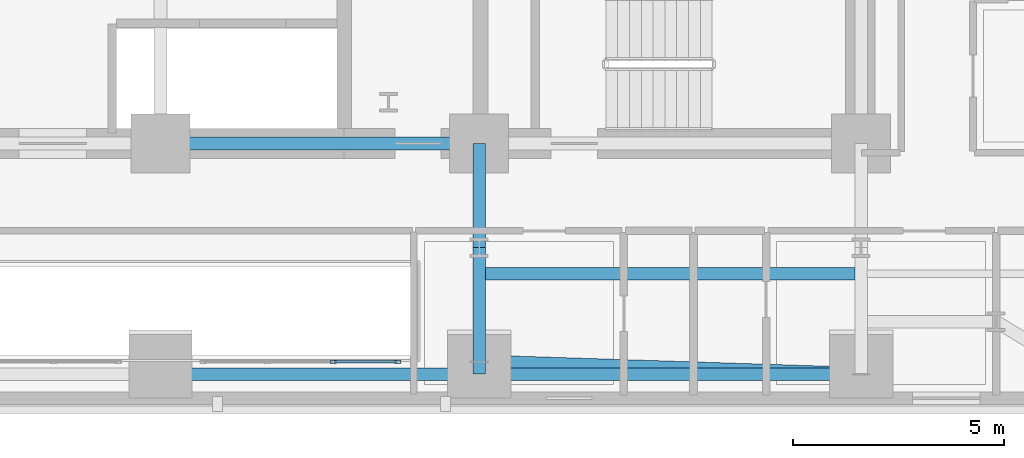
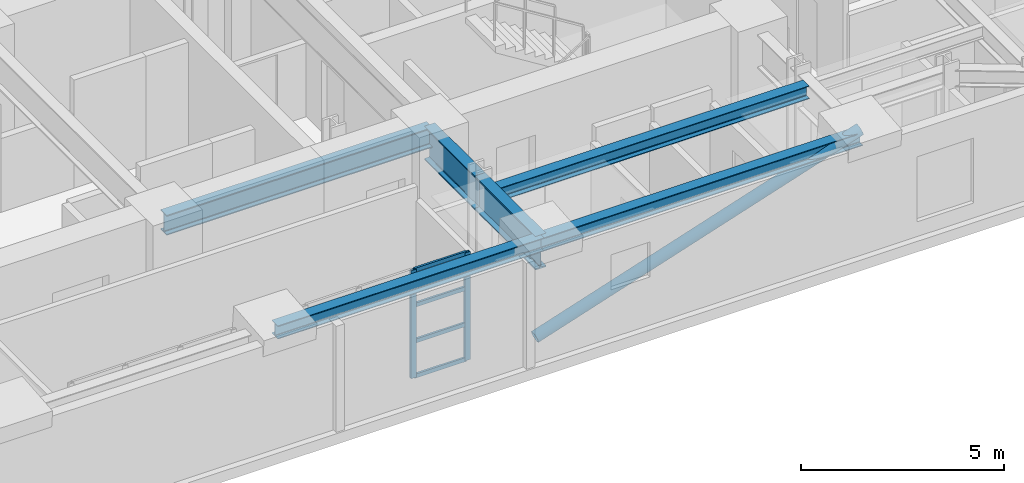
# One storey, part 4 of 16: 7 members, 6 beams, 1 element without a shape of its own.
"""IFC4 building model written with IfcOpenShell, lengths in metres."""

from ifc_helpers import new_model, si_unit, direction, frame, origin, origin_2d, place, context, subcontext, project, spatial, hollow_rectangle, hollow_circle, i_section, extrude, material, layer, layer_set, material_profile, profile_set, type_object, element, aggregate, save


model = new_model("IFC4")

# Units and contexts
model_context = context("Model", 3, precision=1e-05, world=origin(), true_north=direction((0.0, 1.0)))
body_context = subcontext(model_context, "Body", "Model", "MODEL_VIEW")
ifc_project = project(units=[si_unit("LENGTHUNIT", "METRE"), si_unit("AREAUNIT", "SQUARE_METRE"), si_unit("VOLUMEUNIT", "CUBIC_METRE"), si_unit("PLANEANGLEUNIT", "RADIAN"), si_unit("MASSUNIT", "GRAM", prefix="KILO")], contexts=[model_context])

# Site, building, storey
site_placement = place(None, origin())
site = spatial("IfcSite", under=ifc_project, at=site_placement, CompositionType="ELEMENT")
building_placement = place(site_placement, origin())
building = spatial("IfcBuilding", under=site, at=building_placement, Name="Zarnavel Station Tower", CompositionType="ELEMENT")
storey_placement = place(building_placement, frame((0.0, 0.0, 39.5)))
storey = spatial("IfcBuildingStorey", under=building, at=storey_placement, Name="L10", CompositionType="ELEMENT", Elevation=39.5)

# Curtain wall, members
ifc_material_1 = material(Name="Aluminium Dark Anodised and Solar-Control Glass", Category="aluminium")
ifc_layer = layer(ifc_material_1, 0.179931640625)
ifc_layer_set = layer_set([ifc_layer], Name="CWS2")
curtain_wall_type = type_object("IfcCurtainWallType", Name="CWS2", PredefinedType="NOTDEFINED", material=ifc_layer_set)
curtain_wall_placement = place(storey_placement, origin())
curtain_wall = element("IfcCurtainWall", 1, at=curtain_wall_placement, inside=storey, type_object=curtain_wall_type, Name="L10 Curtain Wall CWS2-L10-AS-S2", PredefinedType="NOTDEFINED")
ifc_material_2 = material(Name="Steel S355J2 (Black Fluoropolymer Coated)", Category="steel")
ifc_material_profile_1 = material_profile(ifc_material_2, hollow_rectangle(XDim=0.074951171875, YDim=0.14990234375, WallThickness=0.00634765625, at=origin_2d()), Name="RHS150x75x6.3")
ifc_profile_set_1 = profile_set([ifc_material_profile_1], Name="Steel S355J2 (Black Fluoropolymer Coated)")
member_type_1 = type_object("IfcMemberType", Name="CWS2_MUL", PredefinedType="MULLION", material=ifc_profile_set_1)
member_1_placement = place(storey_placement, frame((32.893310546875, 22.64990234375, 0.0), z_axis=(0.0, 0.0, 1.0), x_axis=(0.0, 1.0, 0.0)))
member_1 = element("IfcMember", 2, at=member_1_placement, type_object=member_type_1, Name="CW2 mullion 3", PredefinedType="MULLION", context=body_context, shape_type="SweptSolid", body=[
    extrude(hollow_rectangle(XDim=0.074951171875, YDim=0.14990234375, WallThickness=0.00634765625, at=origin_2d()), origin(), (0.0, 0.0, 1.0), 3.239990234375),
])
member_2_placement = place(storey_placement, frame((34.419921875, 22.64990234375, 0.0), z_axis=(0.0, 0.0, 1.0), x_axis=(0.0, 1.0, 0.0)))
member_2 = element("IfcMember", 3, at=member_2_placement, type_object=member_type_1, Name="CW2 mullion 4", PredefinedType="MULLION", context=body_context, shape_type="SweptSolid", body=[
    extrude(hollow_rectangle(XDim=0.074951171875, YDim=0.14990234375, WallThickness=0.00634765625, at=origin_2d()), origin(), (0.0, 0.0, 1.0), 3.239990234375),
])
ifc_material_3 = material(Name="Steel S355J2 (Black Fluoropolymer Coated)", Category="steel")
ifc_material_profile_2 = material_profile(ifc_material_3, hollow_rectangle(XDim=0.06005859375, YDim=0.1201171875, WallThickness=0.0048828125, at=origin_2d()), Name="RHS120x60x5")
ifc_profile_set_2 = profile_set([ifc_material_profile_2], Name="Steel S355J2 (Black Fluoropolymer Coated)")
member_type_2 = type_object("IfcMemberType", Name="CWS2_TRN", PredefinedType="USERDEFINED", material=ifc_profile_set_2)
member_3_placement = place(storey_placement, frame((32.92333984375, 22.64990234375, 0.030029296875), z_axis=(1.0, 0.0, 0.0), x_axis=(0.0, 1.0, 0.0)))
member_3 = element("IfcMember", 4, at=member_3_placement, type_object=member_type_2, Name="CW2 transom 3.1", ObjectType="TRANSOM", PredefinedType="USERDEFINED", context=body_context, shape_type="SweptSolid", body=[
    extrude(hollow_rectangle(XDim=0.06005859375, YDim=0.1201171875, WallThickness=0.0048828125, at=origin_2d()), origin(), (0.0, 0.0, 1.0), 1.466552734375),
])
member_4_placement = place(storey_placement, frame((32.92333984375, 22.64990234375, 1.080078125), z_axis=(1.0, 0.0, 0.0), x_axis=(0.0, 1.0, 0.0)))
member_4 = element("IfcMember", 5, at=member_4_placement, type_object=member_type_2, Name="CW2 transom 3.2", ObjectType="TRANSOM", PredefinedType="USERDEFINED", context=body_context, shape_type="SweptSolid", body=[
    extrude(hollow_rectangle(XDim=0.06005859375, YDim=0.1201171875, WallThickness=0.0048828125, at=origin_2d()), origin(), (0.0, 0.0, 1.0), 1.466552734375),
])
member_5_placement = place(storey_placement, frame((32.92333984375, 22.64990234375, 2.159912109375), z_axis=(1.0, 0.0, 0.0), x_axis=(0.0, 1.0, 0.0)))
member_5 = element("IfcMember", 6, at=member_5_placement, type_object=member_type_2, Name="CW2 transom 3.3", ObjectType="TRANSOM", PredefinedType="USERDEFINED", context=body_context, shape_type="SweptSolid", body=[
    extrude(hollow_rectangle(XDim=0.06005859375, YDim=0.1201171875, WallThickness=0.0048828125, at=origin_2d()), origin(), (0.0, 0.0, 1.0), 1.466552734375),
])
member_6_placement = place(storey_placement, frame((32.92333984375, 22.64990234375, 3.2099609375), z_axis=(1.0, 0.0, 0.0), x_axis=(0.0, 1.0, 0.0)))
member_6 = element("IfcMember", 7, at=member_6_placement, type_object=member_type_2, Name="CW2 transom 3.4", ObjectType="TRANSOM", PredefinedType="USERDEFINED", context=body_context, shape_type="SweptSolid", body=[
    extrude(hollow_rectangle(XDim=0.06005859375, YDim=0.1201171875, WallThickness=0.0048828125, at=origin_2d()), origin(), (0.0, 0.0, 1.0), 1.466552734375),
])
aggregate(curtain_wall, [member_1, member_2, member_3, member_4, member_5, member_6])

# Member
ifc_material_4 = material(Name="Steel S355J2", Category="steel")
ifc_material_profile_3 = material_profile(ifc_material_4, hollow_circle(Radius=0.161865234375, WallThickness=0.012451171875, at=origin_2d()), Name="CHS323.9x12.5")
ifc_profile_set_3 = profile_set([ifc_material_profile_3], Name="Steel S355J2")
member_type_3 = type_object("IfcMemberType", Name="DB_EXT_CHS324", PredefinedType="BRACE", material=ifc_profile_set_3)
member_7_placement = place(storey_placement, frame((36.35009765625, 22.6484375, 0.0), z_axis=(0.941042303893, -0.030515076327, 0.336909798612), x_axis=(0.032409856061, 0.999474662625, 0.0)))
element("IfcMember", 8, at=member_7_placement, inside=storey, type_object=member_type_3, Name="L10 Persian Exterior Diagonal Frame Brace 2", PredefinedType="BRACE", context=body_context, shape_type="SweptSolid", body=[
    extrude(hollow_circle(Radius=0.161865234375, WallThickness=0.012451171875, at=origin_2d()), origin(), (0.0, 0.0, 1.0), 9.61669921875),
])

# Beams
ifc_material_5 = material(Name="Steel S355J2", Category="steel")
ifc_material_profile_4 = material_profile(ifc_material_5, i_section(OverallWidth=0.300048828125, OverallDepth=0.39990234375, WebThickness=0.013427734375, FlangeThickness=0.02392578125, FilletRadius=0.027099609375, at=origin_2d()), Name="HEB400")
ifc_profile_set_4 = profile_set([ifc_material_profile_4], Name="Steel S355J2")
beam_type_1 = type_object("IfcBeamType", Name="EB_HEB400", PredefinedType="SPANDREL", material=ifc_profile_set_4)
beam_1_placement = place(storey_placement, frame((28.800048828125, 22.35498046875, 3.0400390625), z_axis=(1.0, 0.0, 0.0), x_axis=(0.0, 1.0, 0.0)))
element("IfcBeam", 9, at=beam_1_placement, inside=storey, type_object=beam_type_1, Name="L10 South Raked Spandrel 3", PredefinedType="SPANDREL", context=body_context, shape_type="SweptSolid", body=[
    extrude(i_section(OverallWidth=0.300048828125, OverallDepth=0.39990234375, WebThickness=0.013427734375, FlangeThickness=0.02392578125, FilletRadius=0.027099609375, at=origin_2d()), origin(), (0.0, 0.0, 1.0), 7.550048828125),
])
beam_2_placement = place(storey_placement, frame((36.35009765625, 22.35498046875, 3.0400390625), z_axis=(1.0, 0.0, 0.0), x_axis=(0.0, 1.0, 0.0)))
element("IfcBeam", 10, at=beam_2_placement, inside=storey, type_object=beam_type_1, Name="L10 South Raked Spandrel 4", PredefinedType="SPANDREL", context=body_context, shape_type="SweptSolid", body=[
    extrude(i_section(OverallWidth=0.300048828125, OverallDepth=0.39990234375, WebThickness=0.013427734375, FlangeThickness=0.02392578125, FilletRadius=0.027099609375, at=origin_2d()), origin(), (0.0, 0.0, 1.0), 9.0498046875),
])
ifc_material_6 = material(Name="Steel S355J2", Category="steel")
ifc_material_profile_5 = material_profile(ifc_material_6, i_section(OverallWidth=0.300048828125, OverallDepth=0.389892578125, WebThickness=0.010986328125, FlangeThickness=0.01904296875, FilletRadius=0.027099609375, at=origin_2d()), Name="HEA400")
ifc_profile_set_5 = profile_set([ifc_material_profile_5], Name="Steel S355J2")
beam_type_2 = type_object("IfcBeamType", Name="FB_HEA400", PredefinedType="BEAM", material=ifc_profile_set_5)
beam_3_placement = place(storey_placement, frame((36.4951171875, 24.735107421875, 3.044921875), z_axis=(1.0, 0.0, 0.0), x_axis=(0.0, 1.0, 0.0)))
element("IfcBeam", 11, at=beam_3_placement, inside=storey, type_object=beam_type_2, Name="L10 East Bay Beam 2", PredefinedType="BEAM", context=body_context, shape_type="SweptSolid", body=[
    extrude(i_section(OverallWidth=0.300048828125, OverallDepth=0.389892578125, WebThickness=0.010986328125, FlangeThickness=0.01904296875, FilletRadius=0.027099609375, at=origin_2d()), origin(), (0.0, 0.0, 1.0), 8.759765625),
])
ifc_material_7 = material(Name="Steel S355J2", Category="steel")
ifc_material_profile_6 = material_profile(ifc_material_7, i_section(OverallWidth=0.300048828125, OverallDepth=0.60009765625, WebThickness=0.015380859375, FlangeThickness=0.030029296875, FilletRadius=0.027099609375, at=origin_2d()), Name="HEB600")
ifc_profile_set_6 = profile_set([ifc_material_profile_6], Name="Steel S355J2")
beam_type_3 = type_object("IfcBeamType", Name="FG_HEB600", PredefinedType="USERDEFINED", material=ifc_profile_set_6)
beam_4_placement = place(storey_placement, frame((28.800048828125, 27.820068359375, 2.93994140625), z_axis=(1.0, 0.0, 0.0), x_axis=(0.0, 1.0, 0.0)))
element("IfcBeam", 12, at=beam_4_placement, inside=storey, type_object=beam_type_3, Name="L10 Core Front Coupling Beam 3", ObjectType="GIRDER", PredefinedType="USERDEFINED", context=body_context, shape_type="SweptSolid", body=[
    extrude(i_section(OverallWidth=0.300048828125, OverallDepth=0.60009765625, WebThickness=0.015380859375, FlangeThickness=0.030029296875, FilletRadius=0.027099609375, at=origin_2d()), origin(), (0.0, 0.0, 1.0), 7.550048828125),
])
ifc_material_8 = material(Name="Steel S460M", Category="steel")
ifc_material_profile_7 = material_profile(ifc_material_8, i_section(OverallWidth=0.302001953125, OverallDepth=1.008056640625, WebThickness=0.02099609375, FlangeThickness=0.0400390625, FilletRadius=0.030029296875, at=origin_2d()), Name="HEM1000")
ifc_profile_set_7 = profile_set([ifc_material_profile_7], Name="Steel S460M")
beam_type_4 = type_object("IfcBeamType", Name="TG_HEM1000", PredefinedType="USERDEFINED", material=ifc_profile_set_7)
beam_5_placement = place(storey_placement, frame((36.35009765625, 22.35498046875, 2.736083984375), z_axis=(0.0, 1.0, 0.0), x_axis=(-1.0, 0.0, 0.0)))
element("IfcBeam", 13, at=beam_5_placement, inside=storey, type_object=beam_type_4, Name="L10 South-Zone NS Girder 4", ObjectType="GIRDER", PredefinedType="USERDEFINED", context=body_context, shape_type="SweptSolid", body=[
    extrude(i_section(OverallWidth=0.302001953125, OverallDepth=1.008056640625, WebThickness=0.02099609375, FlangeThickness=0.0400390625, FilletRadius=0.030029296875, at=origin_2d()), origin(), (0.0, 0.0, 1.0), 2.9951171875),
])
beam_6_placement = place(storey_placement, frame((36.35009765625, 25.35009765625, 2.736083984375), z_axis=(0.0, 1.0, 0.0), x_axis=(-1.0, 0.0, 0.0)))
element("IfcBeam", 14, at=beam_6_placement, inside=storey, type_object=beam_type_4, Name="L10 Inner-Zone NS Girder 4", ObjectType="GIRDER", PredefinedType="USERDEFINED", context=body_context, shape_type="SweptSolid", body=[
    extrude(i_section(OverallWidth=0.302001953125, OverallDepth=1.008056640625, WebThickness=0.02099609375, FlangeThickness=0.0400390625, FilletRadius=0.030029296875, at=origin_2d()), origin(), (0.0, 0.0, 1.0), 2.469970703125),
])

save(model, "model.ifc")
